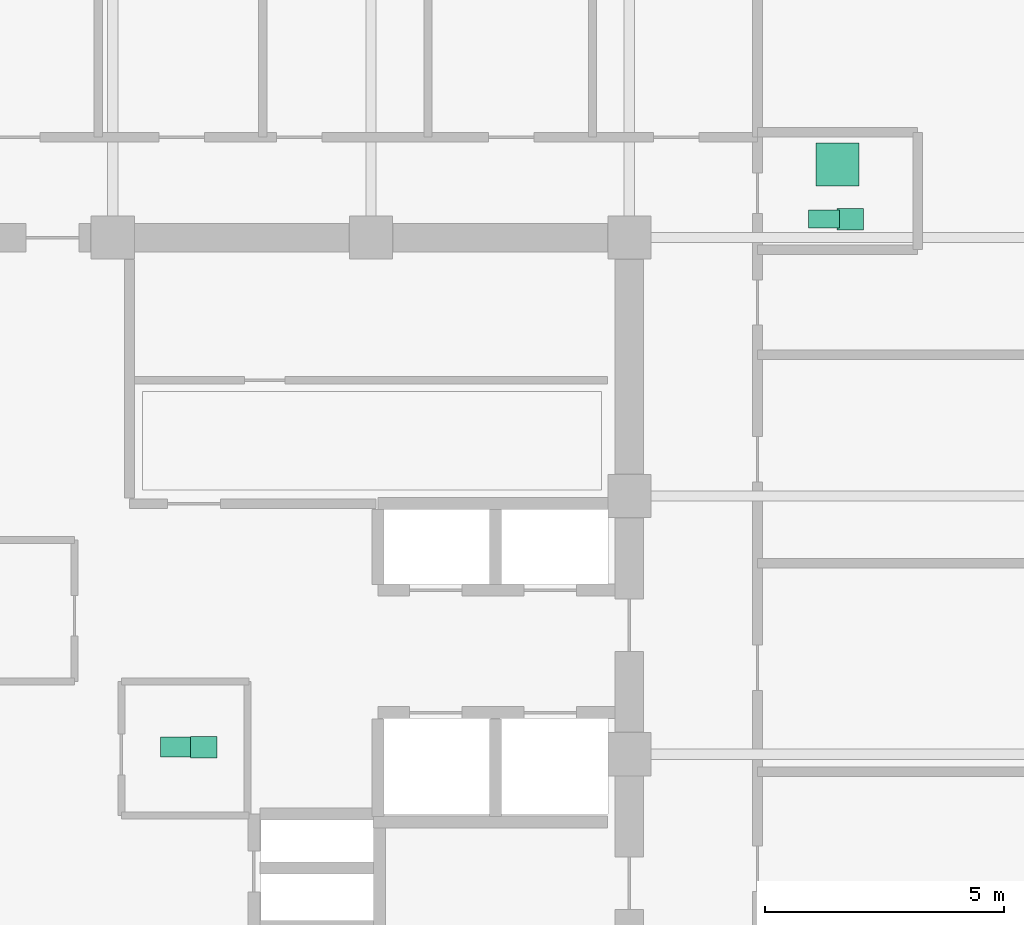
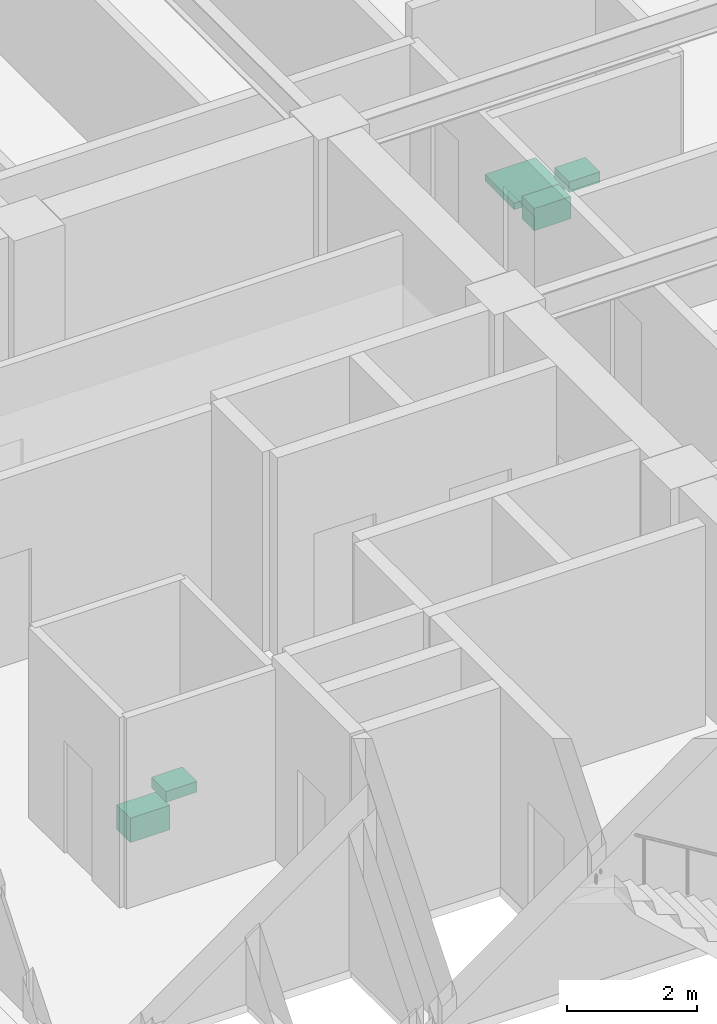
# One storey, part 28 of 28: 5 sanitary terminals.
"""IFC4 building model written with IfcOpenShell, lengths in metres."""

from ifc_helpers import new_model, si_unit, direction, frame, origin, origin_2d, place, context, subcontext, project, spatial, rectangle, extrude, material, type_object, element, save


model = new_model("IFC4")

# Units and contexts
model_context = context("Model", 3, precision=1e-05, world=origin(), true_north=direction((0.0, 1.0)))
body_context = subcontext(model_context, "Body", "Model", "MODEL_VIEW")
ifc_project = project(units=[si_unit("LENGTHUNIT", "METRE"), si_unit("AREAUNIT", "SQUARE_METRE"), si_unit("VOLUMEUNIT", "CUBIC_METRE"), si_unit("PLANEANGLEUNIT", "RADIAN"), si_unit("MASSUNIT", "GRAM", prefix="KILO")], contexts=[model_context])

# Site, building, storey
site_placement = place(None, origin())
site = spatial("IfcSite", under=ifc_project, at=site_placement, CompositionType="ELEMENT")
building_placement = place(site_placement, origin())
building = spatial("IfcBuilding", under=site, at=building_placement, Name="Surkhivell Harbour Commons", CompositionType="ELEMENT")
storey_placement = place(building_placement, frame((0.0, 0.0, 238.5)))
storey = spatial("IfcBuildingStorey", under=building, at=storey_placement, Name="L62", CompositionType="ELEMENT", Elevation=238.5)

# Sanitary terminals
ifc_material_1 = material(Name="Vitreous china washbasin", Category="other")
sanitary_terminal_type_1 = type_object("IfcSanitaryTerminalType", Name="SAN-BSN", PredefinedType="WASHHANDBASIN", material=ifc_material_1)
for number, where, z_axis, x_axis, name in (
    (1, (1.89990234375, 0.14990234375, 0.72021484375), (0.0, 0.0, 1.0), (1.0, 0.0, 0.0), "L62 Core Accessible WC Washbasin"),
    (2, (15.419921875, 11.18994140625, 0.72021484375), (0.0, 0.0, 1.0), (1.0, 0.0, 0.0), "L62 East Communal Bathroom WC Washbasin"),
):
    element("IfcSanitaryTerminal", number, at=place(storey_placement, frame(where, z_axis=z_axis, x_axis=x_axis)), inside=storey, type_object=sanitary_terminal_type_1, Name=name, PredefinedType="WASHHANDBASIN", context=body_context, shape_type="SweptSolid", body=[
        extrude(rectangle(XDim=0.550048828125, YDim=0.449951171875, at=origin_2d()), origin(), (0.0, 0.0, 1.0), 0.199951171875),
    ])
ifc_material_2 = material(Name="Glazed porcelain shower tray", Category="other")
sanitary_terminal_type_2 = type_object("IfcSanitaryTerminalType", Name="SAN-SHW", PredefinedType="SHOWER", material=ifc_material_2)
sanitary_terminal_1_placement = place(storey_placement, frame((15.14990234375, 12.330078125, 0.0), z_axis=(0.0, 0.0, 1.0), x_axis=(1.0, 0.0, 0.0)))
element("IfcSanitaryTerminal", 3, at=sanitary_terminal_1_placement, inside=storey, type_object=sanitary_terminal_type_2, Name="L62 East Communal Shower Tray", PredefinedType="SHOWER", context=body_context, shape_type="SweptSolid", body=[
    extrude(rectangle(XDim=0.89990234375, YDim=0.89990234375, at=origin_2d()), origin(), (0.0, 0.0, 1.0), 0.1201171875),
])
ifc_material_3 = material(Name="Vitreous china sanitaryware", Category="other")
sanitary_terminal_type_3 = type_object("IfcSanitaryTerminalType", Name="SAN-WC-ACC", PredefinedType="TOILETPAN", material=ifc_material_3)
sanitary_terminal_2_placement = place(storey_placement, frame((1.35009765625, 0.14990234375, 0.169921875), z_axis=(0.0, 0.0, 1.0), x_axis=(1.0, 0.0, 0.0)))
element("IfcSanitaryTerminal", 4, at=sanitary_terminal_2_placement, inside=storey, type_object=sanitary_terminal_type_3, Name="L62 Core Accessible WC", PredefinedType="TOILETPAN", context=body_context, shape_type="SweptSolid", body=[
    extrude(rectangle(XDim=0.699951171875, YDim=0.419921875, at=origin_2d()), origin(), (0.0, 0.0, 1.0), 0.4599609375),
])
sanitary_terminal_type_4 = type_object("IfcSanitaryTerminalType", Name="SAN-WC-STD", PredefinedType="TOILETPAN", material=ifc_material_3)
sanitary_terminal_3_placement = place(storey_placement, frame((14.8701171875, 11.18994140625, 0.18994140625), z_axis=(0.0, 0.0, 1.0), x_axis=(1.0, 0.0, 0.0)))
element("IfcSanitaryTerminal", 5, at=sanitary_terminal_3_placement, inside=storey, type_object=sanitary_terminal_type_4, Name="L62 East Communal Bathroom WC", PredefinedType="TOILETPAN", context=body_context, shape_type="SweptSolid", body=[
    extrude(rectangle(XDim=0.64990234375, YDim=0.3798828125, at=origin_2d()), origin(), (0.0, 0.0, 1.0), 0.419921875),
])

save(model, "model.ifc")
